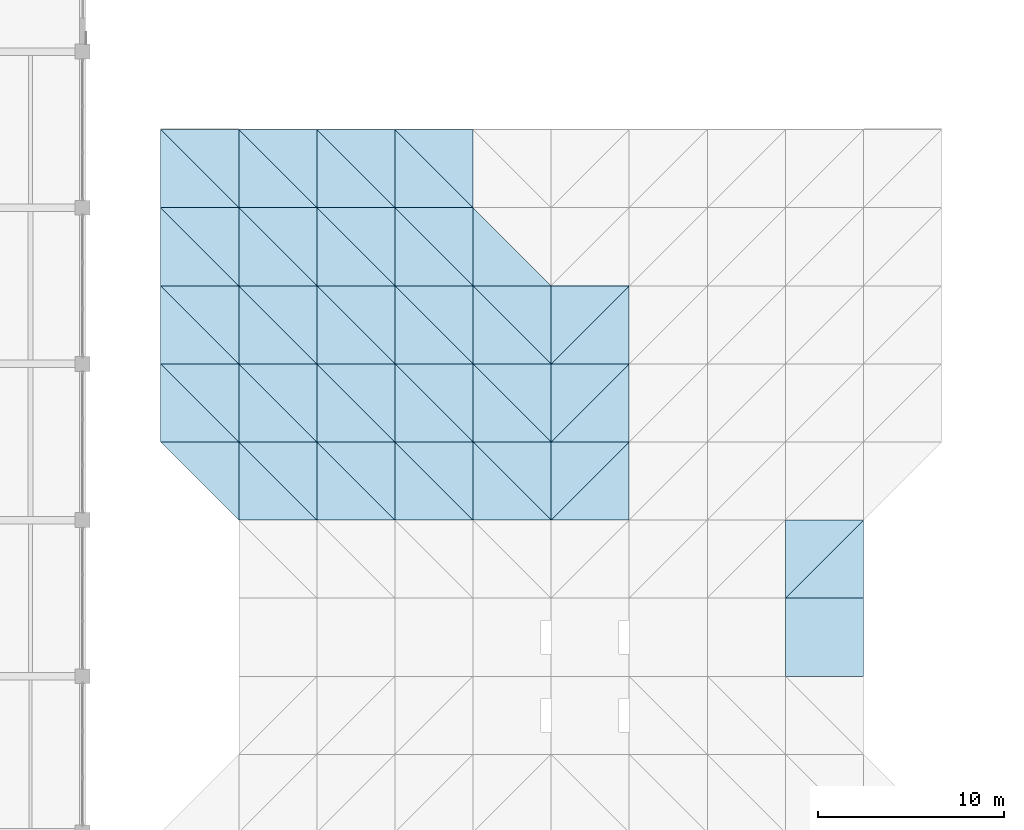
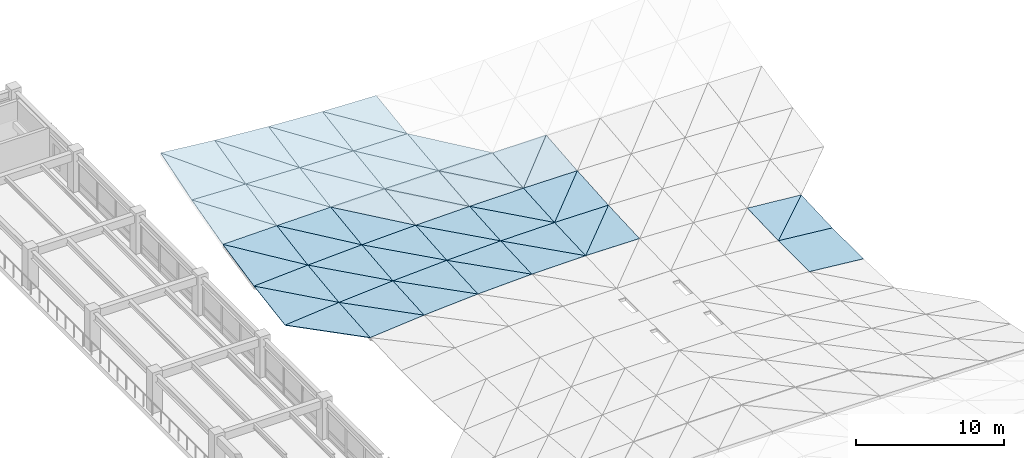
# One storey, part 100 of 123: 55 roofs.
"""IFC4 building model written with IfcOpenShell, lengths in metres."""

from ifc_helpers import new_model, si_unit, direction, frame, origin, place, context, subcontext, project, spatial, polyline, outline, extrude, material, layer, layer_set, type_object, element, save


model = new_model("IFC4")

# Units and contexts
model_context = context("Model", 3, precision=1e-05, world=origin(), true_north=direction((0.0, 1.0)))
body_context = subcontext(model_context, "Body", "Model", "MODEL_VIEW")
ifc_project = project(units=[si_unit("LENGTHUNIT", "METRE"), si_unit("AREAUNIT", "SQUARE_METRE"), si_unit("VOLUMEUNIT", "CUBIC_METRE"), si_unit("PLANEANGLEUNIT", "RADIAN"), si_unit("MASSUNIT", "GRAM", prefix="KILO")], contexts=[model_context])

# Site, building, storey
site_placement = place(None, origin())
site = spatial("IfcSite", under=ifc_project, at=site_placement, CompositionType="ELEMENT")
building_placement = place(site_placement, origin())
building = spatial("IfcBuilding", under=site, at=building_placement, Name="Cumbredor Promenade Congress Hotel", CompositionType="ELEMENT")
storey_placement = place(building_placement, frame((0.0, 0.0, 11.760009765625)))
storey = spatial("IfcBuildingStorey", under=building, at=storey_placement, Name="L03", CompositionType="ELEMENT", Elevation=11.760009765625)

# Roofs
ifc_material = material(Name="Standing-seam zinc-aluminium roofing", Category="aluminium")
ifc_layer = layer(ifc_material, 0.050048828125, Name="Standing-seam zinc-aluminium roofing", Category="aluminium")
ifc_layer_set = layer_set([ifc_layer], Name="Standing-seam zinc-aluminium roofing")
roof_type = type_object("IfcRoofType", Name="Sweeping Pavilion Standing-Seam Roof Skin 50mm", PredefinedType="FREEFORM", material=ifc_layer_set)
roof_1_placement = place(storey_placement, frame((75.60009765625, 33.60009765625, 0.028564453125), z_axis=(-0.093594366401, -0.083392064634, 0.992111817354), x_axis=(0.0, 0.996485979202, 0.083759735274)))
element("IfcRoof", 1, at=roof_1_placement, inside=storey, type_object=roof_type, Name="Thermal Spa and Hydrotherapy Pavilion Standing-Seam Roof Skin 1.9.2", PredefinedType="FREEFORM", context=body_context, shape_type="SweptSolid", body=[
    extrude(outline(polyline([(0.0, 0.0), (4.214761932964823, 6.938893903907228e-18), (4.181572955828483, 4.218713723195871), (0.0, 0.0)])), origin(), (0.0, 0.0, -1.0), 0.050048828125),
])
roof_2_placement = place(storey_placement, frame((71.39990234375, 37.800048828125, -0.0146484375), z_axis=(-0.092768320446, -0.156223387345, 0.983355628432), x_axis=(0.995579604811, 0.0, 0.093921512358)))
element("IfcRoof", 2, at=roof_2_placement, inside=storey, type_object=roof_type, Name="Thermal Spa and Hydrotherapy Pavilion Standing-Seam Roof Skin 1.10.1", PredefinedType="FREEFORM", context=body_context, shape_type="SweptSolid", body=[
    extrude(outline(polyline([(0.0, 0.0), (4.218844271418954, -6.938893903907228e-18), (0.06266784503776944, 4.252160263313489), (0.0, 0.0)])), origin(), (0.0, 0.0, -1.0), 0.050048828125),
])
roof_3_placement = place(storey_placement, frame((75.60009765625, 37.800048828125, 0.381591796875), z_axis=(-0.060901455005, -0.124803430556, 0.99031061617), x_axis=(0.0, 0.992152265457, 0.125035523543)))
element("IfcRoof", 3, at=roof_3_placement, inside=storey, type_object=roof_type, Name="Thermal Spa and Hydrotherapy Pavilion Standing-Seam Roof Skin 1.10.2", PredefinedType="FREEFORM", context=body_context, shape_type="SweptSolid", body=[
    extrude(outline(polyline([(0.0, 0.0), (4.233171981861705, 0.0), (4.200875208446523, 4.208006282691164), (0.0, 0.0)])), origin(), (0.0, 0.0, -1.0), 0.050048828125),
])
roof_4_placement = place(storey_placement, frame((71.39990234375, 42.0, 0.652587890625), z_axis=(-0.060052420773, -0.206960164116, 0.976504581263), x_axis=(0.998114386185, 0.0, 0.061381365995)))
element("IfcRoof", 4, at=roof_4_placement, inside=storey, type_object=roof_type, Name="Thermal Spa and Hydrotherapy Pavilion Standing-Seam Roof Skin 1.11.1", PredefinedType="FREEFORM", context=body_context, shape_type="SweptSolid", body=[
    extrude(outline(polyline([(0.0, 0.0), (4.208130220981919, 6.938893903907228e-18), (0.05463780771945471, 4.2928950527783485), (0.0, 0.0)])), origin(), (0.0, 0.0, -1.0), 0.050048828125),
])
roof_5_placement = place(storey_placement, frame((75.60009765625, 42.0, 0.910888671875), z_axis=(-0.017366013455, -0.165703179182, 0.986022757337), x_axis=(0.0, 0.986171472569, 0.165728171086)))
element("IfcRoof", 5, at=roof_5_placement, inside=storey, type_object=roof_type, Name="Thermal Spa and Hydrotherapy Pavilion Standing-Seam Roof Skin 1.11.2", PredefinedType="FREEFORM", context=body_context, shape_type="SweptSolid", body=[
    extrude(outline(polyline([(0.0, 0.0), (4.258844722951774, 0.0), (4.246585046233237, 4.200828799928166), (0.0, 0.0)])), origin(), (0.0, 0.0, -1.0), 0.050048828125),
])
roof_6_placement = place(storey_placement, frame((71.39990234375, 46.199951171875, 1.542724609375), z_axis=(-0.017022768101, -0.255974388564, 0.966533671305), x_axis=(0.999844941573, 0.0, 0.017609452296)))
element("IfcRoof", 6, at=roof_6_placement, inside=storey, type_object=roof_type, Name="Thermal Spa and Hydrotherapy Pavilion Standing-Seam Roof Skin 1.12.1", PredefinedType="FREEFORM", context=body_context, shape_type="SweptSolid", body=[
    extrude(outline(polyline([(0.0, 0.0), (4.2008466891781655, 0.0), (0.019587076332912134, 4.3447011301595175), (0.0, 0.0)])), origin(), (0.0, 0.0, -1.0), 0.050048828125),
])
roof_7_placement = place(storey_placement, frame((75.60009765625, 46.199951171875, 1.61669921875), z_axis=(0.036267894573, -0.205511066046, 0.977982536427), x_axis=(0.0, 0.978626371294, 0.205646360067)))
element("IfcRoof", 7, at=roof_7_placement, inside=storey, type_object=roof_type, Name="Thermal Spa and Hydrotherapy Pavilion Standing-Seam Roof Skin 1.12.2", PredefinedType="FREEFORM", context=body_context, shape_type="SweptSolid", body=[
    extrude(outline(polyline([(0.0, 0.0), (4.291679945557924, 0.0), (4.3237117760565855, 4.202960425463203), (0.0, 0.0)])), origin(), (0.0, 0.0, -1.0), 0.050048828125),
])
roof_8_placement = place(storey_placement, frame((71.39990234375, 50.39990234375, 2.655029296875), z_axis=(0.035320187478, -0.302712829356, 0.952427124404), x_axis=(0.999313082109, 0.0, -0.03705892504)))
element("IfcRoof", 8, at=roof_8_placement, inside=storey, type_object=roof_type, Name="Thermal Spa and Hydrotherapy Pavilion Standing-Seam Roof Skin 1.13.1", PredefinedType="FREEFORM", context=body_context, shape_type="SweptSolid", body=[
    extrude(outline(polyline([(0.0, 0.0), (4.203082485054859, 0.0), (-0.04947221731395485, 4.406961977089421), (0.0, 0.0)])), origin(), (0.0, 0.0, -1.0), 0.050048828125),
])
roof_9_placement = place(storey_placement, frame((75.60009765625, 50.39990234375, 2.499267578125), z_axis=(0.099213613424, -0.243238802385, 0.964879030721), x_axis=(0.0, 0.969663195666, 0.244444854662)))
element("IfcRoof", 9, at=roof_9_placement, inside=storey, type_object=roof_type, Name="Thermal Spa and Hydrotherapy Pavilion Standing-Seam Roof Skin 1.13.2", PredefinedType="FREEFORM", context=body_context, shape_type="SweptSolid", body=[
    extrude(outline(polyline([(0.0, 0.0), (4.331602283424711, 1.3877787807814457e-17), (4.437174292188612, 4.221021163757828), (0.0, 0.0)])), origin(), (0.0, 0.0, -1.0), 0.050048828125),
])
roof_10_placement = place(storey_placement, frame((75.60009765625, 33.60009765625, 0.028564453125), z_axis=(-0.089710388059, -0.08342200716, 0.992468042304), x_axis=(0.995939579594, 0.0, 0.090024184518)))
element("IfcRoof", 10, at=roof_10_placement, inside=storey, type_object=roof_type, Name="Thermal Spa and Hydrotherapy Pavilion Standing-Seam Roof Skin 2.9.1", PredefinedType="FREEFORM", context=body_context, shape_type="SweptSolid", body=[
    extrude(outline(polyline([(0.0, 0.0), (4.21707426627955, 0.0), (0.031780998733761626, 4.214642110510553), (0.0, 0.0)])), origin(), (0.0, 0.0, -1.0), 0.050048828125),
])
roof_11_placement = place(storey_placement, frame((79.800048828125, 33.60009765625, 0.408203125), z_axis=(-0.072999794171, -0.066694740633, 0.995099412935), x_axis=(0.0, 0.997761484681, 0.066873161183)))
element("IfcRoof", 11, at=roof_11_placement, inside=storey, type_object=roof_type, Name="Thermal Spa and Hydrotherapy Pavilion Standing-Seam Roof Skin 2.9.2", PredefinedType="FREEFORM", context=body_context, shape_type="SweptSolid", body=[
    extrude(outline(polyline([(0.0, 0.0), (4.209373919876968, 3.469446951953614e-18), (4.188769933203772, 4.2111868044223595), (0.0, 0.0)])), origin(), (0.0, 0.0, -1.0), 0.050048828125),
])
roof_12_placement = place(storey_placement, frame((75.60009765625, 37.800048828125, 0.381591796875), z_axis=(-0.072591572305, -0.124705648778, 0.989534721368), x_axis=(0.997320018789, 0.0, 0.073162696257)))
element("IfcRoof", 12, at=roof_12_placement, inside=storey, type_object=roof_type, Name="Thermal Spa and Hydrotherapy Pavilion Standing-Seam Roof Skin 2.10.1", PredefinedType="FREEFORM", context=body_context, shape_type="SweptSolid", body=[
    extrude(outline(polyline([(0.0, 0.0), (4.211237208470671, 0.0), (0.038724786495465104, 4.232994852221041), (0.0, 0.0)])), origin(), (0.0, 0.0, -1.0), 0.050048828125),
])
roof_13_placement = place(storey_placement, frame((79.800048828125, 37.800048828125, 0.689697265625), z_axis=(-0.047489476072, -0.099831891305, 0.993870385483), x_axis=(0.0, 0.994992997931, 0.099944655027)))
element("IfcRoof", 13, at=roof_13_placement, inside=storey, type_object=roof_type, Name="Thermal Spa and Hydrotherapy Pavilion Standing-Seam Roof Skin 2.10.2", PredefinedType="FREEFORM", context=body_context, shape_type="SweptSolid", body=[
    extrude(outline(polyline([(0.0, 0.0), (4.221086159006848, 0.0), (4.201028906459982, 4.204695168208378), (0.0, 0.0)])), origin(), (0.0, 0.0, -1.0), 0.050048828125),
])
roof_14_placement = place(storey_placement, frame((75.60009765625, 42.0, 0.910888671875), z_axis=(-0.0470693753, -0.165544481744, 0.985078422499), x_axis=(0.998860373953, 0.0, 0.047727909515)))
element("IfcRoof", 14, at=roof_14_placement, inside=storey, type_object=roof_type, Name="Thermal Spa and Hydrotherapy Pavilion Standing-Seam Roof Skin 2.11.1", PredefinedType="FREEFORM", context=body_context, shape_type="SweptSolid", body=[
    extrude(outline(polyline([(0.0, 0.0), (4.20474300652663, 6.938893903907228e-18), (0.03368686191609479, 4.258711491701266), (0.0, 0.0)])), origin(), (0.0, 0.0, -1.0), 0.050048828125),
])
roof_15_placement = place(storey_placement, frame((79.800048828125, 42.0, 1.111572265625), z_axis=(-0.01359577095, -0.132789203556, 0.991051049357), x_axis=(0.0, 0.991142657467, 0.132801477967)))
element("IfcRoof", 15, at=roof_15_placement, inside=storey, type_object=roof_type, Name="Thermal Spa and Hydrotherapy Pavilion Standing-Seam Roof Skin 2.11.2", PredefinedType="FREEFORM", context=body_context, shape_type="SweptSolid", body=[
    extrude(outline(polyline([(0.0, 0.0), (4.237484019314049, 0.0), (4.229832371657768, 4.200339395658134), (0.0, 0.0)])), origin(), (0.0, 0.0, -1.0), 0.050048828125),
])
roof_16_placement = place(storey_placement, frame((75.60009765625, 46.199951171875, 1.61669921875), z_axis=(-0.013424112816, -0.205627829795, 0.978538189755), x_axis=(0.999905914145, 0.0, 0.013717246744)))
element("IfcRoof", 16, at=roof_16_placement, inside=storey, type_object=roof_type, Name="Thermal Spa and Hydrotherapy Pavilion Standing-Seam Roof Skin 2.12.1", PredefinedType="FREEFORM", context=body_context, shape_type="SweptSolid", body=[
    extrude(outline(polyline([(0.0, 0.0), (4.2003463650548625, 1.734723475976807e-18), (0.012106407954052753, 4.291662870029578), (0.0, 0.0)])), origin(), (0.0, 0.0, -1.0), 0.050048828125),
])
roof_17_placement = place(storey_placement, frame((79.800048828125, 46.199951171875, 1.67431640625), z_axis=(0.028481672708, -0.165159317392, 0.985855564572), x_axis=(0.0, 0.986255673834, 0.165226347264)))
element("IfcRoof", 17, at=roof_17_placement, inside=storey, type_object=roof_type, Name="Thermal Spa and Hydrotherapy Pavilion Standing-Seam Roof Skin 2.12.2", PredefinedType="FREEFORM", context=body_context, shape_type="SweptSolid", body=[
    extrude(outline(polyline([(0.0, 0.0), (4.258481125434934, 0.0), (4.27852934188767, 4.201655721123826), (0.0, 0.0)])), origin(), (0.0, 0.0, -1.0), 0.050048828125),
])
roof_18_placement = place(storey_placement, frame((75.60009765625, 50.39990234375, 2.499267578125), z_axis=(0.0280028843, -0.24434899374, 0.969282934818), x_axis=(0.999582936058, 0.0, -0.028878260723)))
element("IfcRoof", 18, at=roof_18_placement, inside=storey, type_object=roof_type, Name="Thermal Spa and Hydrotherapy Pavilion Standing-Seam Roof Skin 2.13.1", PredefinedType="FREEFORM", context=body_context, shape_type="SweptSolid", body=[
    extrude(outline(polyline([(0.0, 0.0), (4.20170355092259, 3.469446951953614e-18), (-0.030577396669037145, 4.33149435698387), (0.0, 0.0)])), origin(), (0.0, 0.0, -1.0), 0.050048828125),
])
roof_19_placement = place(storey_placement, frame((79.800048828125, 50.39990234375, 2.3779296875), z_axis=(0.078234999777, -0.196399908178, 0.977397749577), x_axis=(0.0, 0.980402737768, 0.197003735437)))
element("IfcRoof", 19, at=roof_19_placement, inside=storey, type_object=roof_type, Name="Thermal Spa and Hydrotherapy Pavilion Standing-Seam Roof Skin 2.13.2", PredefinedType="FREEFORM", context=body_context, shape_type="SweptSolid", body=[
    extrude(outline(polyline([(0.0, 0.0), (4.284152981927269, 0.0), (4.3503820209158715, 4.212863830700222), (0.0, 0.0)])), origin(), (0.0, 0.0, -1.0), 0.050048828125),
])
roof_20_placement = place(storey_placement, frame((79.800048828125, 33.60009765625, 0.408203125), z_axis=(-0.064303830401, -0.066734758283, 0.995696484594), x_axis=(0.997921098963, 0.0, 0.06444749991)))
element("IfcRoof", 20, at=roof_20_placement, inside=storey, type_object=roof_type, Name="Thermal Spa and Hydrotherapy Pavilion Standing-Seam Roof Skin 3.9.1", PredefinedType="FREEFORM", context=body_context, shape_type="SweptSolid", body=[
    extrude(outline(polyline([(0.0, 0.0), (4.208700644008552, 0.0), (0.01814159360253114, 4.209334826302365), (0.0, 0.0)])), origin(), (0.0, 0.0, -1.0), 0.050048828125),
])
roof_21_placement = place(storey_placement, frame((84.0, 33.60009765625, 0.679443359375), z_axis=(-0.052282348828, -0.054716781922, 0.997132202758), x_axis=(0.0, 0.998497805514, 0.054791718212)))
element("IfcRoof", 21, at=roof_21_placement, inside=storey, type_object=roof_type, Name="Thermal Spa and Hydrotherapy Pavilion Standing-Seam Roof Skin 3.9.2", PredefinedType="FREEFORM", context=body_context, shape_type="SweptSolid", body=[
    extrude(outline(polyline([(0.0, 0.0), (4.206269807187926, 1.734723475976807e-18), (4.1942038575230285, 4.205703132224231), (0.0, 0.0)])), origin(), (0.0, 0.0, -1.0), 0.050048828125),
])
roof_22_placement = place(storey_placement, frame((79.800048828125, 37.800048828125, 0.689697265625), z_axis=(-0.052099332578, -0.099808920947, 0.993641705468), x_axis=(0.998628232976, 0.0, 0.052360789754)))
element("IfcRoof", 22, at=roof_22_placement, inside=storey, type_object=roof_type, Name="Thermal Spa and Hydrotherapy Pavilion Standing-Seam Roof Skin 3.10.1", PredefinedType="FREEFORM", context=body_context, shape_type="SweptSolid", body=[
    extrude(outline(polyline([(0.0, 0.0), (4.2057204404884105, 0.0), (0.022089708177617823, 4.221028358889789), (0.0, 0.0)])), origin(), (0.0, 0.0, -1.0), 0.050048828125),
])
roof_23_placement = place(storey_placement, frame((84.0, 37.800048828125, 0.909912109375), z_axis=(-0.034045457996, -0.08187122042, 0.996061248145), x_axis=(0.0, 0.996639014372, 0.081918709895)))
element("IfcRoof", 23, at=roof_23_placement, inside=storey, type_object=roof_type, Name="Thermal Spa and Hydrotherapy Pavilion Standing-Seam Roof Skin 3.10.2", PredefinedType="FREEFORM", context=body_context, shape_type="SweptSolid", body=[
    extrude(outline(polyline([(0.0, 0.0), (4.214114750986205, 1.734723475976807e-18), (4.202354936186834, 4.202387357347403), (0.0, 0.0)])), origin(), (0.0, 0.0, -1.0), 0.050048828125),
])
roof_24_placement = place(storey_placement, frame((79.800048828125, 42.0, 1.111572265625), z_axis=(-0.033857916792, -0.132725337086, 0.990574392141), x_axis=(0.999416372229, 0.0, 0.034160136422)))
element("IfcRoof", 24, at=roof_24_placement, inside=storey, type_object=roof_type, Name="Thermal Spa and Hydrotherapy Pavilion Standing-Seam Roof Skin 3.11.1", PredefinedType="FREEFORM", context=body_context, shape_type="SweptSolid", body=[
    extrude(outline(polyline([(0.0, 0.0), (4.202403811443803, 0.0), (0.01922341661453117, 4.237440415415374), (0.0, 0.0)])), origin(), (0.0, 0.0, -1.0), 0.050048828125),
])
roof_25_placement = place(storey_placement, frame((84.0, 42.0, 1.255126953125), z_axis=(-0.009764891812, -0.108973881402, 0.993996649924), x_axis=(0.0, 0.99404404365, 0.108979077273)))
element("IfcRoof", 25, at=roof_25_placement, inside=storey, type_object=roof_type, Name="Thermal Spa and Hydrotherapy Pavilion Standing-Seam Roof Skin 3.11.2", PredefinedType="FREEFORM", context=body_context, shape_type="SweptSolid", body=[
    extrude(outline(polyline([(0.0, 0.0), (4.225115777015072, 8.673617379884035e-19), (4.220619325828766, 4.200151425403654), (0.0, 0.0)])), origin(), (0.0, 0.0, -1.0), 0.050048828125),
])
roof_26_placement = place(storey_placement, frame((79.800048828125, 46.199951171875, 1.67431640625), z_axis=(-0.009688390753, -0.165218592604, 0.986209385345), x_axis=(0.999951749302, 0.0, 0.009823393922)))
element("IfcRoof", 26, at=roof_26_placement, inside=storey, type_object=roof_type, Name="Thermal Spa and Hydrotherapy Pavilion Standing-Seam Roof Skin 3.12.1", PredefinedType="FREEFORM", context=body_context, shape_type="SweptSolid", body=[
    extrude(outline(polyline([(0.0, 0.0), (4.200153832229674, 8.673617379884035e-19), (0.006911870430136362, 4.25847551615983), (0.0, 0.0)])), origin(), (0.0, 0.0, -1.0), 0.050048828125),
])
roof_27_placement = place(storey_placement, frame((84.0, 46.199951171875, 1.715576171875), z_axis=(0.020440500208, -0.135770984479, 0.990529366412), x_axis=(0.0, 0.99073635982, 0.135799356883)))
element("IfcRoof", 27, at=roof_27_placement, inside=storey, type_object=roof_type, Name="Thermal Spa and Hydrotherapy Pavilion Standing-Seam Roof Skin 3.12.2", PredefinedType="FREEFORM", context=body_context, shape_type="SweptSolid", body=[
    extrude(outline(polyline([(0.0, 0.0), (4.239221797246176, 0.0), (4.2509915168978925, 4.200828846214915), (0.0, 0.0)])), origin(), (0.0, 0.0, -1.0), 0.050048828125),
])
roof_28_placement = place(storey_placement, frame((79.800048828125, 50.39990234375, 2.3779296875), z_axis=(0.020227388491, -0.196963429546, 0.980202152709), x_axis=(0.99978714706, 0.0, -0.020631543173)))
element("IfcRoof", 28, at=roof_28_placement, inside=storey, type_object=roof_type, Name="Thermal Spa and Hydrotherapy Pavilion Standing-Seam Roof Skin 3.13.1", PredefinedType="FREEFORM", context=body_context, shape_type="SweptSolid", body=[
    extrude(outline(polyline([(0.0, 0.0), (4.20084533415502, 0.0), (-0.017412901550121, 4.284117594489665), (0.0, 0.0)])), origin(), (0.0, 0.0, -1.0), 0.050048828125),
])
roof_29_placement = place(storey_placement, frame((84.0, 50.39990234375, 2.291259765625), z_axis=(0.056294555694, -0.162002076363, 0.985183358697), x_axis=(0.0, 0.986748139826, 0.162259386629)))
element("IfcRoof", 29, at=roof_29_placement, inside=storey, type_object=roof_type, Name="Thermal Spa and Hydrotherapy Pavilion Standing-Seam Roof Skin 3.13.2", PredefinedType="FREEFORM", context=body_context, shape_type="SweptSolid", body=[
    extrude(outline(polyline([(0.0, 0.0), (4.256603223229035, 0.0), (4.29554389145572, 4.20662201571375), (0.0, 0.0)])), origin(), (0.0, 0.0, -1.0), 0.050048828125),
])
roof_30_placement = place(storey_placement, frame((84.0, 33.60009765625, 0.679443359375), z_axis=(-0.038685084273, -0.054750703979, 0.997750381944), x_axis=(0.999249200496, 0.0, 0.038743196927)))
element("IfcRoof", 30, at=roof_30_placement, inside=storey, type_object=roof_type, Name="Thermal Spa and Hydrotherapy Pavilion Standing-Seam Roof Skin 4.9.1", PredefinedType="FREEFORM", context=body_context, shape_type="SweptSolid", body=[
    extrude(outline(polyline([(0.0, 0.0), (4.203106862422566, 0.0), (0.008929096166711269, 4.206260329806323), (0.0, 0.0)])), origin(), (0.0, 0.0, -1.0), 0.050048828125),
])
roof_31_placement = place(storey_placement, frame((88.199951171875, 33.60009765625, 0.84228515625), z_axis=(-0.031339133203, -0.047414947828, 0.998383534246), x_axis=(0.0, 0.998874172518, 0.047438249081)))
element("IfcRoof", 31, at=roof_31_placement, inside=storey, type_object=roof_type, Name="Thermal Spa and Hydrotherapy Pavilion Standing-Seam Roof Skin 4.9.2", PredefinedType="FREEFORM", context=body_context, shape_type="SweptSolid", body=[
    extrude(outline(polyline([(0.0, 0.0), (4.204684921711812, -8.673617379884035e-19), (4.198430855670806, 4.202015165037919), (0.0, 0.0)])), origin(), (0.0, 0.0, -1.0), 0.050048828125),
])
roof_32_placement = place(storey_placement, frame((84.0, 37.800048828125, 0.909912109375), z_axis=(-0.031269074977, -0.081878651885, 0.996151660801), x_axis=(0.999507701685, 0.0, 0.031374420677)))
element("IfcRoof", 32, at=roof_32_placement, inside=storey, type_object=roof_type, Name="Thermal Spa and Hydrotherapy Pavilion Standing-Seam Roof Skin 4.10.1", PredefinedType="FREEFORM", context=body_context, shape_type="SweptSolid", body=[
    extrude(outline(polyline([(0.0, 0.0), (4.202019819152533, 1.734723475976807e-18), (0.010830915731824441, 4.214100832413), (0.0, 0.0)])), origin(), (0.0, 0.0, -1.0), 0.050048828125),
])
roof_33_placement = place(storey_placement, frame((88.199951171875, 37.800048828125, 1.041748046875), z_axis=(-0.020463395145, -0.071129138365, 0.997257186053), x_axis=(0.0, 0.997466052646, 0.071144035726)))
element("IfcRoof", 33, at=roof_33_placement, inside=storey, type_object=roof_type, Name="Thermal Spa and Hydrotherapy Pavilion Standing-Seam Roof Skin 4.10.2", PredefinedType="FREEFORM", context=body_context, shape_type="SweptSolid", body=[
    extrude(outline(polyline([(0.0, 0.0), (4.210620662963862, -8.673617379884035e-19), (4.204489353244303, 4.200830814060015), (0.0, 0.0)])), origin(), (0.0, 0.0, -1.0), 0.050048828125),
])
roof_34_placement = place(storey_placement, frame((84.0, 42.0, 1.255126953125), z_axis=(-0.020393220577, -0.108956413619, 0.993837318924), x_axis=(0.999789537892, 0.0, 0.020515358186)))
element("IfcRoof", 34, at=roof_34_placement, inside=storey, type_object=roof_type, Name="Thermal Spa and Hydrotherapy Pavilion Standing-Seam Roof Skin 4.11.1", PredefinedType="FREEFORM", context=body_context, shape_type="SweptSolid", body=[
    extrude(outline(polyline([(0.0, 0.0), (4.200835288524772, 1.734723475976807e-18), (0.009446280649177734, 4.2251052172654315), (0.0, 0.0)])), origin(), (0.0, 0.0, -1.0), 0.050048828125),
])
roof_35_placement = place(storey_placement, frame((88.199951171875, 42.0, 1.34130859375), z_axis=(-0.005844663075, -0.094556232315, 0.995502365062), x_axis=(0.0, 0.995519368721, 0.094557847381)))
element("IfcRoof", 35, at=roof_35_placement, inside=storey, type_object=roof_type, Name="Thermal Spa and Hydrotherapy Pavilion Standing-Seam Roof Skin 4.11.2", PredefinedType="FREEFORM", context=body_context, shape_type="SweptSolid", body=[
    extrude(outline(polyline([(0.0, 0.0), (4.2188543024238365, -4.336808689942018e-19), (4.21652267581606, 4.200022909060485), (0.0, 0.0)])), origin(), (0.0, 0.0, -1.0), 0.050048828125),
])
roof_36_placement = place(storey_placement, frame((84.0, 46.199951171875, 1.715576171875), z_axis=(-0.005816583131, -0.135797059638, 0.990719600066), x_axis=(0.99998276572, 0.0, 0.005870967816)))
element("IfcRoof", 36, at=roof_36_placement, inside=storey, type_object=roof_type, Name="Thermal Spa and Hydrotherapy Pavilion Standing-Seam Roof Skin 4.12.1", PredefinedType="FREEFORM", context=body_context, shape_type="SweptSolid", body=[
    extrude(outline(polyline([(0.0, 0.0), (4.20002355625722, -4.336808689942018e-19), (0.0033798198510742177, 4.239220449925302), (0.0, 0.0)])), origin(), (0.0, 0.0, -1.0), 0.050048828125),
])
roof_37_placement = place(storey_placement, frame((88.199951171875, 46.199951171875, 1.740234375), z_axis=(0.012294149294, -0.117977658011, 0.992940142256), x_axis=(0.0, 0.993015190282, 0.117986574954)))
element("IfcRoof", 37, at=roof_37_placement, inside=storey, type_object=roof_type, Name="Thermal Spa and Hydrotherapy Pavilion Standing-Seam Roof Skin 4.12.2", PredefinedType="FREEFORM", context=body_context, shape_type="SweptSolid", body=[
    extrude(outline(polyline([(0.0, 0.0), (4.229493378326594, 0.0), (4.235628910666739, 4.200268610994527), (0.0, 0.0)])), origin(), (0.0, 0.0, -1.0), 0.050048828125),
])
roof_38_placement = place(storey_placement, frame((84.0, 50.39990234375, 2.291259765625), z_axis=(0.012216570905, -0.162247278008, 0.986674503661), x_axis=(0.999923357281, 0.0, -0.012380612399)))
element("IfcRoof", 38, at=roof_38_placement, inside=storey, type_object=roof_type, Name="Thermal Spa and Hydrotherapy Pavilion Standing-Seam Roof Skin 4.13.1", PredefinedType="FREEFORM", context=body_context, shape_type="SweptSolid", body=[
    extrude(outline(polyline([(0.0, 0.0), (4.200273092224242, -1.734723475976807e-18), (-0.008550964960185752, 4.256594634329427), (0.0, 0.0)])), origin(), (0.0, 0.0, -1.0), 0.050048828125),
])
roof_39_placement = place(storey_placement, frame((88.199951171875, 50.39990234375, 2.2392578125), z_axis=(0.033933670997, -0.141017838793, 0.989425325689), x_axis=(0.0, 0.989995476807, 0.141099099577)))
element("IfcRoof", 39, at=roof_39_placement, inside=storey, type_object=roof_type, Name="Thermal Spa and Hydrotherapy Pavilion Standing-Seam Roof Skin 4.13.2", PredefinedType="FREEFORM", context=body_context, shape_type="SweptSolid", body=[
    extrude(outline(polyline([(0.0, 0.0), (4.2426409119024715, 0.0), (4.262965245093563, 4.202371371554499), (0.0, 0.0)])), origin(), (0.0, 0.0, -1.0), 0.050048828125),
])
roof_40_placement = place(storey_placement, frame((88.199951171875, 33.60009765625, 0.84228515625), z_axis=(-0.012889126659, -0.047434308469, 0.998791197796), x_axis=(0.999916744423, 0.0, 0.012903651529)))
element("IfcRoof", 40, at=roof_40_placement, inside=storey, type_object=roof_type, Name="Thermal Spa and Hydrotherapy Pavilion Standing-Seam Roof Skin 5.9.1", PredefinedType="FREEFORM", context=body_context, shape_type="SweptSolid", body=[
    extrude(outline(polyline([(0.0, 0.0), (4.200300870348134, -4.336808689942018e-19), (0.0025737996336904485, 4.204684133966083), (0.0, 0.0)])), origin(), (0.0, 0.0, -1.0), 0.050048828125),
])
roof_41_placement = place(storey_placement, frame((92.39990234375, 33.60009765625, 0.896484375), z_axis=(-0.01051015212, -0.045060099698, 0.998928988526), x_axis=(0.0, 0.998984165592, 0.045062588647)))
element("IfcRoof", 41, at=roof_41_placement, inside=storey, type_object=roof_type, Name="Thermal Spa and Hydrotherapy Pavilion Standing-Seam Roof Skin 5.9.2", PredefinedType="FREEFORM", context=body_context, shape_type="SweptSolid", body=[
    extrude(outline(polyline([(0.0, 0.0), (4.204221965204318, 4.336808689942018e-19), (4.202230674055596, 4.200183161322996), (0.0, 0.0)])), origin(), (0.0, 0.0, -1.0), 0.050048828125),
])
roof_42_placement = place(storey_placement, frame((88.199951171875, 37.800048828125, 1.041748046875), z_axis=(-0.010494182058, -0.071140118148, 0.997411126734), x_axis=(0.999944654448, 0.0, 0.010520838369)))
element("IfcRoof", 42, at=roof_42_placement, inside=storey, type_object=roof_type, Name="Thermal Spa and Hydrotherapy Pavilion Standing-Seam Roof Skin 5.10.1", PredefinedType="FREEFORM", context=body_context, shape_type="SweptSolid", body=[
    extrude(outline(polyline([(0.0, 0.0), (4.2001836333548175, 0.0), (0.003151628095283787, 4.210619483474918), (0.0, 0.0)])), origin(), (0.0, 0.0, -1.0), 0.050048828125),
])
roof_43_placement = place(storey_placement, frame((92.39990234375, 37.800048828125, 1.0859375), z_axis=(-0.00678549434, -0.067448973654, 0.997699650706), x_axis=(0.0, 0.997722620009, 0.067450526482)))
element("IfcRoof", 43, at=roof_43_placement, inside=storey, type_object=roof_type, Name="Thermal Spa and Hydrotherapy Pavilion Standing-Seam Roof Skin 5.10.2", PredefinedType="FREEFORM", context=body_context, shape_type="SweptSolid", body=[
    extrude(outline(polyline([(0.0, 0.0), (4.20953788923599, 2.168404344971009e-19), (4.2076112018340375, 4.200047864250141), (0.0, 0.0)])), origin(), (0.0, 0.0, -1.0), 0.050048828125),
])
roof_44_placement = place(storey_placement, frame((88.199951171875, 42.0, 1.34130859375), z_axis=(-0.006770510754, -0.094555680099, 0.995496551247), x_axis=(0.999976873054, 0.0, 0.006800982047)))
element("IfcRoof", 44, at=roof_44_placement, inside=storey, type_object=roof_type, Name="Thermal Spa and Hydrotherapy Pavilion Standing-Seam Roof Skin 5.11.1", PredefinedType="FREEFORM", context=body_context, shape_type="SweptSolid", body=[
    extrude(outline(polyline([(0.0, 0.0), (4.200048306164646, 0.0), (0.0027130870761996728, 4.218853430049287), (0.0, 0.0)])), origin(), (0.0, 0.0, -1.0), 0.050048828125),
])
roof_45_placement = place(storey_placement, frame((92.39990234375, 42.0, 1.369873046875), z_axis=(-0.001968411623, -0.089794306669, 0.995958386603), x_axis=(0.0, 0.995960316101, 0.08979448063)))
element("IfcRoof", 45, at=roof_45_placement, inside=storey, type_object=roof_type, Name="Thermal Spa and Hydrotherapy Pavilion Standing-Seam Roof Skin 5.11.2", PredefinedType="FREEFORM", context=body_context, shape_type="SweptSolid", body=[
    extrude(outline(polyline([(0.0, 0.0), (4.21698646419579, 0.0), (4.216241099854625, 4.199959308557114), (0.0, 0.0)])), origin(), (0.0, 0.0, -1.0), 0.050048828125),
])
roof_46_placement = place(storey_placement, frame((88.199951171875, 46.199951171875, 1.740234375), z_axis=(-0.001962590911, -0.117986347726, 0.99301327785), x_axis=(0.999998046928, 0.0, 0.001976395605)))
element("IfcRoof", 46, at=roof_46_placement, inside=storey, type_object=roof_type, Name="Thermal Spa and Hydrotherapy Pavilion Standing-Seam Roof Skin 5.12.1", PredefinedType="FREEFORM", context=body_context, shape_type="SweptSolid", body=[
    extrude(outline(polyline([(0.0, 0.0), (4.199959374696801, 2.168404344971009e-19), (0.0009862677287466814, 4.2294932633336195), (0.0, 0.0)])), origin(), (0.0, 0.0, -1.0), 0.050048828125),
])
roof_47_placement = place(storey_placement, frame((92.39990234375, 33.60009765625, 0.896484375), z_axis=(0.01288837759, -0.047434308927, 0.99879120744), x_axis=(0.9999167541, 0.0, -0.012902901616)))
element("IfcRoof", 47, at=roof_47_placement, inside=storey, type_object=roof_type, Name="Thermal Spa and Hydrotherapy Pavilion Standing-Seam Roof Skin 6.9.1", PredefinedType="FREEFORM", context=body_context, shape_type="SweptSolid", body=[
    extrude(outline(polyline([(0.0, 0.0), (4.200544990648248, 0.0), (4.197971340594371, 4.204684134057643), (0.0, 0.0)])), origin(), (0.0, 0.0, -1.0), 0.050048828125),
])
roof_48_placement = place(storey_placement, frame((92.39990234375, 33.60009765625, 0.896484375), z_axis=(0.010509541274, -0.045060099987, 0.99892899494), x_axis=(0.706915962216, 0.706874872007, 0.024448674583)))
element("IfcRoof", 48, at=roof_48_placement, inside=storey, type_object=roof_type, Name="Thermal Spa and Hydrotherapy Pavilion Standing-Seam Roof Skin 6.9.2", PredefinedType="FREEFORM", context=body_context, shape_type="SweptSolid", body=[
    extrude(outline(polyline([(0.0, 0.0), (5.9415765621295975, -1.0061396160665481e-16), (2.973471824856462, 2.972195760627357), (0.0, 0.0)])), origin(), (0.0, 0.0, -1.0), 0.050048828125),
])
roof_49_placement = place(storey_placement, frame((92.39990234375, 37.800048828125, 1.0859375), z_axis=(0.01049357214, -0.071140118604, 0.997411133119), x_axis=(0.999944660882, 0.0, -0.010520226902)))
element("IfcRoof", 49, at=roof_49_placement, inside=storey, type_object=roof_type, Name="Thermal Spa and Hydrotherapy Pavilion Standing-Seam Roof Skin 6.10.1", PredefinedType="FREEFORM", context=body_context, shape_type="SweptSolid", body=[
    extrude(outline(polyline([(0.0, 0.0), (4.200427760468505, 4.336808689942018e-19), (4.197276315544535, 4.210619483612017), (0.0, 0.0)])), origin(), (0.0, 0.0, -1.0), 0.050048828125),
])
roof_50_placement = place(storey_placement, frame((92.39990234375, 37.800048828125, 1.0859375), z_axis=(0.006785099944, -0.067448973835, 0.997699653376), x_axis=(0.70647470396, 0.706433639399, 0.042953530594)))
element("IfcRoof", 50, at=roof_50_placement, inside=storey, type_object=roof_type, Name="Thermal Spa and Hydrotherapy Pavilion Standing-Seam Roof Skin 6.10.2", PredefinedType="FREEFORM", context=body_context, shape_type="SweptSolid", body=[
    extrude(outline(polyline([(0.0, 0.0), (5.945287621705465, -2.498001805406602e-16), (2.9791828258450623, 2.974000492787992), (0.0, 0.0)])), origin(), (0.0, 0.0, -1.0), 0.050048828125),
])
roof_51_placement = place(storey_placement, frame((92.39990234375, 42.0, 1.369873046875), z_axis=(0.006770117229, -0.094555680351, 0.9954965539), x_axis=(0.999976875743, 0.0, -0.006800586751)))
element("IfcRoof", 51, at=roof_51_placement, inside=storey, type_object=roof_type, Name="Thermal Spa and Hydrotherapy Pavilion Standing-Seam Roof Skin 6.11.1", PredefinedType="FREEFORM", context=body_context, shape_type="SweptSolid", body=[
    extrude(outline(polyline([(0.0, 0.0), (4.200292441143748, 0.0), (4.197579511761202, 4.218853430150694), (0.0, 0.0)])), origin(), (0.0, 0.0, -1.0), 0.050048828125),
])
roof_52_placement = place(storey_placement, frame((92.39990234375, 42.0, 1.369873046875), z_axis=(0.001968297207, -0.089794306689, 0.995958386828), x_axis=(0.705756731045, 0.705715708217, 0.062231629911)))
element("IfcRoof", 52, at=roof_52_placement, inside=storey, type_object=roof_type, Name="Thermal Spa and Hydrotherapy Pavilion Standing-Seam Roof Skin 6.11.2", PredefinedType="FREEFORM", context=body_context, shape_type="SweptSolid", body=[
    extrude(outline(polyline([(0.0, 0.0), (5.951335818339584, 4.475586568020162e-16), (2.9875362759874444, 2.9761723469701122), (0.0, 0.0)])), origin(), (0.0, 0.0, -1.0), 0.050048828125),
])
roof_53_placement = place(storey_placement, frame((105.0, 25.199951171875, 0.267578125), z_axis=(0.098455545426, 0.0, 0.995141450034), x_axis=(0.995141450034, 0.0, -0.098455545426)))
element("IfcRoof", 53, at=roof_53_placement, inside=storey, type_object=roof_type, Name="Thermal Spa and Hydrotherapy Pavilion Standing-Seam Roof Skin 9.7", PredefinedType="FREEFORM", context=body_context, shape_type="SweptSolid", body=[
    extrude(outline(polyline([(0.0, 0.0), (4.220456470518103, 0.0), (4.220456470518103, 4.199951171875), (0.0, 4.199951171875), (0.0, 0.0)])), origin(), (0.0, 0.0, -1.0), 0.050048828125),
])
roof_54_placement = place(storey_placement, frame((105.0, 29.39990234375, 0.267578125), z_axis=(0.098369559312, -0.041784405048, 0.994272343624), x_axis=(0.995141450034, 0.0, -0.098455545426)))
element("IfcRoof", 54, at=roof_54_placement, inside=storey, type_object=roof_type, Name="Thermal Spa and Hydrotherapy Pavilion Standing-Seam Roof Skin 9.8.1", PredefinedType="FREEFORM", context=body_context, shape_type="SweptSolid", body=[
    extrude(outline(polyline([(0.0, 0.0), (4.220456470518103, 0.0), (4.203077720678569, 4.203866757945568), (0.0, 0.0)])), origin(), (0.0, 0.0, -1.0), 0.050048828125),
])
roof_55_placement = place(storey_placement, frame((105.0, 29.39990234375, 0.267578125), z_axis=(0.089974178841, -0.03332611873, 0.995386365665), x_axis=(0.706514465215, 0.706555534474, -0.040206804711)))
element("IfcRoof", 55, at=roof_55_placement, inside=storey, type_object=roof_type, Name="Thermal Spa and Hydrotherapy Pavilion Standing-Seam Roof Skin 9.8.2", PredefinedType="FREEFORM", context=body_context, shape_type="SweptSolid", body=[
    extrude(outline(polyline([(0.0, 0.0), (5.944607476076476, -2.393918396847994e-16), (2.962017162007995, 2.9812531569362033), (0.0, 0.0)])), origin(), (0.0, 0.0, -1.0), 0.050048828125),
])

save(model, "model.ifc")
